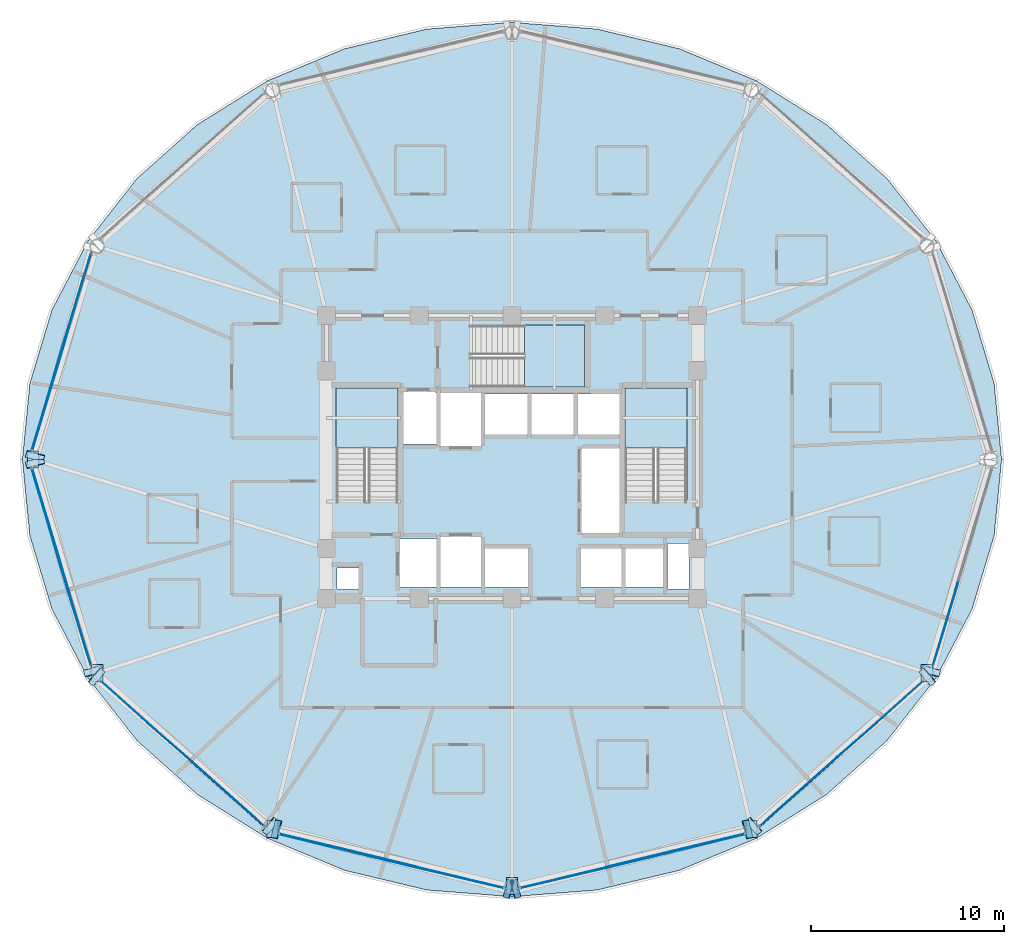
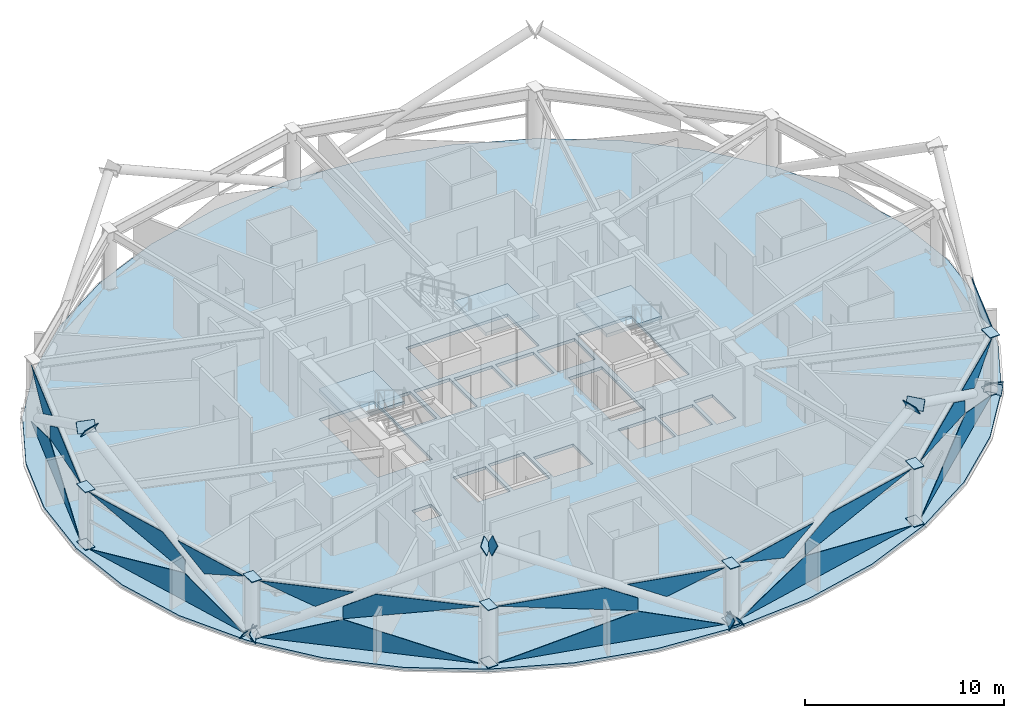
# One storey, part 20 of 29: 43 plates, 4 slabs, 10 elements without a shape of their own.
"""IFC4 building model written with IfcOpenShell, lengths in metres."""

import ifcopenshell
import ifcopenshell.guid

model = None  # the IFC model being written
_history = None  # IfcOwnerHistory: only IFC2X3 demands one
_inside = {}  # id of a spatial element -> (the spatial element, [elements in it])
_under = {}  # id of a project, library or spatial element -> (it, [spatial elements below it])
_declared = {}  # id of a project -> (the project, [libraries it declares])
_typed = {}  # id of a type object -> (the type object, [elements of that type])
_made_of = {}  # id of a material, layer set ... -> (it, [elements and type objects made of it])


def new_model(schema):
    """Start an empty IFC model of exactly this schema.

    Asked for "IFC4X3", IfcOpenShell would pick the latest addendum, in which some entities
    have other attributes; the version numbers below select the first issue.
    IFC2X3 requires an IfcOwnerHistory on every rooted entity: one is made here for all.
    """
    global model, _history
    if schema == "IFC4X3":
        model = ifcopenshell.file(schema_version=(4, 3, 0, 0))
    else:
        model = ifcopenshell.file(schema=schema)
    _inside.clear()
    _under.clear()
    _declared.clear()
    _typed.clear()
    _made_of.clear()
    _history = None
    if model.schema == "IFC2X3":
        org = make("IfcOrganization", Name="unknown")
        user = make(
            "IfcPersonAndOrganization",
            ThePerson=make("IfcPerson", FamilyName="unknown"),
            TheOrganization=org,
        )
        app = make(
            "IfcApplication",
            ApplicationDeveloper=org,
            Version="unknown",
            ApplicationFullName="unknown",
            ApplicationIdentifier="unknown",
        )
        _history = make(
            "IfcOwnerHistory",
            OwningUser=user,
            OwningApplication=app,
            ChangeAction="ADDED",
            CreationDate=0,
        )
    return model


def make(cls, **values):
    """One entity of the class cls with the attributes given. An attribute that is None is left unset."""
    return model.create_entity(
        cls, **{name: value for name, value in values.items() if value is not None}
    )


def rooted(cls, **values):
    """An entity with a GlobalId (a new one), such as an element, a storey or a relation."""
    return make(cls, GlobalId=ifcopenshell.guid.new(), OwnerHistory=_history, **values)


def si_unit(unit_type, name, prefix=None):
    """IfcSIUnit, for example si_unit("LENGTHUNIT", "METRE", prefix="MILLI")."""
    return make("IfcSIUnit", UnitType=unit_type, Prefix=prefix, Name=name)


def assignment(units):
    """IfcUnitAssignment: the units of a project."""
    return None if units is None else make("IfcUnitAssignment", Units=units)


def point(xyz):
    """IfcCartesianPoint."""
    return None if xyz is None else make("IfcCartesianPoint", Coordinates=xyz)


def direction(xyz):
    """IfcDirection."""
    return None if xyz is None else make("IfcDirection", DirectionRatios=xyz)


def frame(location, z_axis=None, x_axis=None):
    """IfcAxis2Placement3D, a coordinate frame: its origin and axes. An axis left out is left unset."""
    return make(
        "IfcAxis2Placement3D",
        Location=point(location),
        Axis=direction(z_axis),
        RefDirection=direction(x_axis),
    )


def origin():
    """The frame at (0, 0, 0) with its axes left unset."""
    return frame((0.0, 0.0, 0.0))


def place(relative_to, where):
    """IfcLocalPlacement: puts the frame where relative to a parent placement (None: the world)."""
    return make(
        "IfcLocalPlacement", PlacementRelTo=relative_to, RelativePlacement=where
    )


def context(
    kind, dimensions, precision=None, world=None, true_north=None, identifier=None
):
    """IfcGeometricRepresentationContext, for example the 3D "Model" context."""
    return make(
        "IfcGeometricRepresentationContext",
        ContextIdentifier=identifier,
        ContextType=kind,
        CoordinateSpaceDimension=dimensions,
        Precision=precision,
        WorldCoordinateSystem=world,
        TrueNorth=true_north,
    )


def subcontext(parent, identifier, kind, view, scale=None):
    """IfcGeometricRepresentationSubContext, for example "Body" below "Model"."""
    return make(
        "IfcGeometricRepresentationSubContext",
        ContextIdentifier=identifier,
        ContextType=kind,
        ParentContext=parent,
        TargetScale=scale,
        TargetView=view,
    )


def project(units=None, contexts=None):
    """IfcProject with its units and contexts."""
    return rooted(
        "IfcProject",
        Name="project",
        RepresentationContexts=contexts,
        UnitsInContext=assignment(units),
    )


def spatial(cls, under=None, at=None, **own):
    """A site, building, storey or space (cls), placed at a placement, below another one or the project."""
    s = rooted(cls, ObjectPlacement=at, **own)
    if under is not None:
        _under.setdefault(under.id(), (under, []))[1].append(s)
    return s


def polyline(points):
    """IfcPolyline through the points."""
    return make("IfcPolyline", Points=[point(p) for p in points])


def outline(outer, holes=None, kind="AREA"):
    """IfcArbitraryClosedProfileDef: a profile drawn as a closed curve; with holes, ...WithVoids."""
    if holes is None:
        return make("IfcArbitraryClosedProfileDef", ProfileType=kind, OuterCurve=outer)
    return make(
        "IfcArbitraryProfileDefWithVoids",
        ProfileType=kind,
        OuterCurve=outer,
        InnerCurves=holes,
    )


def extrude(swept, where, along, depth):
    """IfcExtrudedAreaSolid: the profile swept, set in the frame where, extruded along a direction by depth."""
    return make(
        "IfcExtrudedAreaSolid",
        SweptArea=swept,
        Position=where,
        ExtrudedDirection=direction(along),
        Depth=depth,
    )


def shape(context_of_items, identifier, shape_type, items):
    """IfcShapeRepresentation: the items that make up one representation, for example the "Body"."""
    return make(
        "IfcShapeRepresentation",
        ContextOfItems=context_of_items,
        RepresentationIdentifier=identifier,
        RepresentationType=shape_type,
        Items=items,
    )


def material(Name=None, Category=None):
    """IfcMaterial."""
    return make("IfcMaterial", Name=Name, Category=Category)


def layer(
    of_material, thickness, ventilated=None, Name=None, Category=None, Priority=None
):
    """IfcMaterialLayer: one layer of a wall or slab, of a material (None: an air gap)."""
    return make(
        "IfcMaterialLayer",
        Material=of_material,
        LayerThickness=thickness,
        IsVentilated=ventilated,
        Name=Name,
        Category=Category,
        Priority=Priority,
    )


def layer_set(layers, Name=None):
    """IfcMaterialLayerSet."""
    return make("IfcMaterialLayerSet", MaterialLayers=layers, LayerSetName=Name)


def made_of(thing, what):
    """Note that an element or type object is made of a material, layer set ...; save() writes the relation."""
    if what is not None:
        _made_of.setdefault(what.id(), (what, []))[1].append(thing)
    return thing


def type_object(cls, material=None, **own):
    """A type object (cls), such as IfcWallType, which elements share."""
    return made_of(rooted(cls, **own), material)


def element(
    cls,
    number,
    at=None,
    inside=None,
    cuts=None,
    type_object=None,
    material=None,
    context=None,
    identifier="Body",
    shape_type=None,
    held_by="IfcProductDefinitionShape",
    body=None,
    shapes=None,
    **own,
):
    """One element of the class cls, such as IfcWall. Its Tag is "e" and its number.

    at: its placement. inside: the storey or other place that contains it. cuts: it is an
    opening in that element (IfcRelVoidsElement). A single representation is given by context,
    identifier, shape_type and body (its items); several are given by shapes. held_by: the class
    of the entity that holds the representations. save() writes the other relations.
    """
    e = rooted(cls, Tag="e%d" % number, ObjectPlacement=at, **own)
    if body is not None:
        shapes = [shape(context, identifier, shape_type, body)]
    if shapes is not None:
        e.Representation = make(held_by, Representations=shapes)
    if inside is not None:
        _inside.setdefault(inside.id(), (inside, []))[1].append(e)
    if cuts is not None:
        rooted(
            "IfcRelVoidsElement", RelatingBuildingElement=cuts, RelatedOpeningElement=e
        )
    if type_object is not None:
        _typed.setdefault(type_object.id(), (type_object, []))[1].append(e)
    return made_of(e, material)


def aggregate(whole, parts):
    """IfcRelAggregates: a whole, such as a stair, and the parts it consists of."""
    return rooted("IfcRelAggregates", RelatingObject=whole, RelatedObjects=parts)


def save(model, path):
    """Write the relations noted so far, then the file.

    IfcRelAggregates (storeys below a building ...), IfcRelContainedInSpatialStructure (elements
    in a storey), IfcRelDefinesByType, IfcRelAssociatesMaterial and IfcRelDeclares: one each for
    every whole, place, type object, material and project.
    """
    for whole, parts in _under.values():
        aggregate(whole, parts)
    for where, things in _inside.values():
        rooted(
            "IfcRelContainedInSpatialStructure",
            RelatedElements=things,
            RelatingStructure=where,
        )
    for kind, things in _typed.values():
        rooted("IfcRelDefinesByType", RelatedObjects=things, RelatingType=kind)
    for what, things in _made_of.values():
        rooted("IfcRelAssociatesMaterial", RelatedObjects=things, RelatingMaterial=what)
    for by, libraries in _declared.values():
        rooted("IfcRelDeclares", RelatingContext=by, RelatedDefinitions=libraries)
    model.write(path)


model = new_model("IFC4")

# Units and contexts
model_context = context("Model", 3, precision=1e-05, world=origin(), true_north=direction((0.0, 1.0)))
body_context = subcontext(model_context, "Body", "Model", "MODEL_VIEW")
ifc_project = project(units=[si_unit("LENGTHUNIT", "METRE"), si_unit("AREAUNIT", "SQUARE_METRE"), si_unit("VOLUMEUNIT", "CUBIC_METRE"), si_unit("PLANEANGLEUNIT", "RADIAN"), si_unit("MASSUNIT", "GRAM", prefix="KILO")], contexts=[model_context])

# Site, building, storey
site_placement = place(None, origin())
site = spatial("IfcSite", under=ifc_project, at=site_placement, CompositionType="ELEMENT")
building_placement = place(site_placement, origin())
building = spatial("IfcBuilding", under=site, at=building_placement, Name="Vantalir Tower", CompositionType="ELEMENT")
storey_placement = place(building_placement, frame((0.0, 0.0, 157.199951171875)))
storey = spatial("IfcBuildingStorey", under=building, at=storey_placement, Name="L39", CompositionType="ELEMENT", Elevation=157.199951171875)

# Curtain wall, plates
ifc_material_1 = material(Name="Champagne-silver PVDF aluminium and double-silver Low-E glass", Category="aluminium")
ifc_layer_1 = layer(ifc_material_1, 0.199951171875)
ifc_layer_set_1 = layer_set([ifc_layer_1], Name="Champagne-silver PVDF aluminium and double-silver Low-E glass")
curtain_wall_type = type_object("IfcCurtainWallType", Name="CW-DIAMOND-Z2", PredefinedType="USERDEFINED", material=ifc_layer_set_1)
curtain_wall_1_placement = place(storey_placement, origin())
curtain_wall_1 = element("IfcCurtainWall", 1, at=curtain_wall_1_placement, inside=storey, type_object=curtain_wall_type, Name="L39 Quilted Pyramid-Diamond Curtain Wall S06", ObjectType="UNITISED CURTAIN WALL", PredefinedType="USERDEFINED")
ifc_material_2 = material(Name="Double-silver Low-E laminated glass IGU", Category="glass")
ifc_layer_2 = layer(ifc_material_2, 0.028076171875)
ifc_layer_set_2 = layer_set([ifc_layer_2], Name="Double-silver Low-E laminated glass IGU")
plate_type_1 = type_object("IfcPlateType", Name="CWP-IGU-28", PredefinedType="CURTAIN_PANEL", material=ifc_layer_set_2)
plate_1_placement = place(storey_placement, frame((9.741943359375, 35.693359375, 0.046875), z_axis=(0.957564071006, -0.287889450564, 0.013809930182), x_axis=(-0.28791660525, -0.957655484974, -2.2792638e-05)))
plate_1 = element("IfcPlate", 2, at=plate_1_placement, type_object=plate_type_1, Name="CW-L39-S06 Pyramid Diamond Facet 1L", PredefinedType="CURTAIN_PANEL", context=body_context, shape_type="SweptSolid", body=[
    extrude(outline(polyline([(0.0, 0.0), (10.711380721923996, 5.44811591673966e-18), (4.075647975215292, -1.7263317397813793), (0.0, 0.0)])), origin(), (0.0, 0.0, -1.0), 0.028076171875),
])
plate_2_placement = place(storey_placement, frame((8.118896484375, 30.29443359375, 3.5234375), z_axis=(-0.957557941094, 0.287905765123, 0.013894598119), x_axis=(-0.287933561793, -0.957650387142, -8.4363e-08)))
plate_2 = element("IfcPlate", 3, at=plate_2_placement, type_object=plate_type_1, Name="CW-L39-S06 Pyramid Diamond Facet 2U", PredefinedType="CURTAIN_PANEL", context=body_context, shape_type="SweptSolid", body=[
    extrude(outline(polyline([(0.0, 0.0), (5.073767685221937, 0.0), (-1.561925147055898, -1.726485156677116), (-1.561767940723868, -0.9685999225643026), (0.0, 0.0)])), origin(), (0.0, 0.0, -1.0), 0.028076171875),
])
plate_3_placement = place(storey_placement, frame((9.71142578125, 35.70263671875, 3.523681640625), z_axis=(-0.957560656279, 0.28790112846, 0.013803252424), x_axis=(-0.287927850537, -0.957652102809, 5.357794e-05)))
plate_3 = element("IfcPlate", 4, at=plate_3_placement, type_object=plate_type_1, Name="CW-L39-S06 Pyramid Diamond Facet 2U Infill Light", PredefinedType="CURTAIN_PANEL", context=body_context, shape_type="SweptSolid", body=[
    extrude(outline(polyline([(0.0, 0.0), (4.556737794915111, -5.421010862427522e-19), (2.707281126310866, -1.1467386763287737), (0.0, 0.0)])), origin(), (0.0, 0.0, -1.0), 0.028076171875),
])
aggregate(curtain_wall_1, [plate_1, plate_2, plate_3])

curtain_wall_2_placement = place(storey_placement, origin())
curtain_wall_2 = element("IfcCurtainWall", 5, at=curtain_wall_2_placement, inside=storey, type_object=curtain_wall_type, Name="L39 Quilted Pyramid-Diamond Curtain Wall S07", ObjectType="UNITISED CURTAIN WALL", PredefinedType="USERDEFINED")
plate_4_placement = place(storey_placement, frame((6.657958984375, 24.564208984375, 0.046630859375), z_axis=(0.957570200047, 0.287870738047, 0.013774983065), x_axis=(0.287897752934, -0.957661152671, 2.2791146e-05)))
plate_4 = element("IfcPlate", 6, at=plate_4_placement, type_object=plate_type_1, Name="CW-L39-S07 Pyramid Diamond Facet 1L", PredefinedType="CURTAIN_PANEL", context=body_context, shape_type="SweptSolid", body=[
    extrude(outline(polyline([(0.0, 0.0), (10.712082131825547, 9.595189226496714e-18), (6.635967016159975, -1.7263309120844164), (0.0, 0.0)])), origin(), (0.0, 0.0, -1.0), 0.028076171875),
])
plate_5_placement = place(storey_placement, frame((6.657958984375, 24.564208984375, 3.5234375), z_axis=(-0.957565262051, -0.287882479701, 0.013872519374), x_axis=(0.287910187794, -0.957657414614, 2.30641e-07)))
plate_5 = element("IfcPlate", 7, at=plate_5_placement, type_object=plate_type_1, Name="CW-L39-S07 Pyramid Diamond Facet 2U", PredefinedType="CURTAIN_PANEL", context=body_context, shape_type="SweptSolid", body=[
    extrude(outline(polyline([(0.0, 0.0), (5.0740014860384335, 0.0), (6.636003416942271, -0.9686005964332071), (6.635926965615698, -1.7264848558499808), (0.0, 0.0)])), origin(), (0.0, 0.0, -1.0), 0.028076171875),
])
plate_6_placement = place(storey_placement, frame((8.3994140625, 18.66064453125, 3.52392578125), z_axis=(-0.957569384816, -0.287871542224, 0.013814790656), x_axis=(0.287898306836, -0.957660984927, -5.3572443e-05)))
plate_6 = element("IfcPlate", 8, at=plate_6_placement, type_object=plate_type_1, Name="CW-L39-S07 Pyramid Diamond Facet 2U Infill Light", PredefinedType="CURTAIN_PANEL", context=body_context, shape_type="SweptSolid", body=[
    extrude(outline(polyline([(0.0, 0.0), (4.557205400649532, 2.6291902682773483e-18), (1.8496909536880266, -1.1467388566910972), (0.0, 0.0)])), origin(), (0.0, 0.0, -1.0), 0.028076171875),
])
aggregate(curtain_wall_2, [plate_4, plate_5, plate_6])

curtain_wall_3_placement = place(storey_placement, origin())
curtain_wall_3 = element("IfcCurtainWall", 9, at=curtain_wall_3_placement, inside=storey, type_object=curtain_wall_type, Name="L39 Quilted Pyramid-Diamond Curtain Wall S08", ObjectType="UNITISED CURTAIN WALL", PredefinedType="USERDEFINED")
plate_7_placement = place(storey_placement, frame((10.212646484375, 13.5673828125, 0.046630859375), z_axis=(0.665343330958, 0.746413503219, 0.013606401538), x_axis=(0.746482801, -0.665404709442, -2.1540407e-05)))
plate_7 = element("IfcPlate", 10, at=plate_7_placement, type_object=plate_type_1, Name="CW-L39-S08 Pyramid Diamond Facet 1L", PredefinedType="CURTAIN_PANEL", context=body_context, shape_type="SweptSolid", body=[
    extrude(outline(polyline([(0.0, 0.0), (11.334076750380676, -1.5449880957918438e-18), (4.308592243507373, -1.7268151628694164), (0.0, 0.0)])), origin(), (0.0, 0.0, -1.0), 0.028076171875),
])
plate_8_placement = place(storey_placement, frame((14.674560546875, 9.590087890625, 3.5234375), z_axis=(-0.665326628738, -0.746428809423, 0.013583429451), x_axis=(0.746498089036, -0.665387557004, 4.5272688e-05)))
plate_8 = element("IfcPlate", 11, at=plate_8_placement, type_object=plate_type_1, Name="CW-L39-S08 Pyramid Diamond Facet 2U", PredefinedType="CURTAIN_PANEL", context=body_context, shape_type="SweptSolid", body=[
    extrude(outline(polyline([(0.0, 0.0), (5.356823871546457, -4.824699667560495e-18), (-1.6687021488176343, -1.726646253853571), (-1.668783433215553, -0.9790203032212206), (0.0, 0.0)])), origin(), (0.0, 0.0, -1.0), 0.028076171875),
])
plate_9_placement = place(storey_placement, frame((10.191162109375, 13.54345703125, 3.52392578125), z_axis=(-0.66531706297, -0.746437334168, 0.013583515046), x_axis=(0.746506206977, -0.665378450917, 0.0)))
plate_9 = element("IfcPlate", 12, at=plate_9_placement, type_object=plate_type_1, Name="CW-L39-S08 Pyramid Diamond Facet 2U Infill Light", PredefinedType="CURTAIN_PANEL", context=body_context, shape_type="SweptSolid", body=[
    extrude(outline(polyline([(0.0, 0.0), (4.851048600504041, 6.938893903907228e-18), (2.8821643878871916, -1.1551358699373135), (0.0, 0.0)])), origin(), (0.0, 0.0, -1.0), 0.028076171875),
])
aggregate(curtain_wall_3, [plate_7, plate_8, plate_9])

curtain_wall_4_placement = place(storey_placement, origin())
curtain_wall_4 = element("IfcCurtainWall", 13, at=curtain_wall_4_placement, inside=storey, type_object=curtain_wall_type, Name="L39 Quilted Pyramid-Diamond Curtain Wall S09", ObjectType="UNITISED CURTAIN WALL", PredefinedType="USERDEFINED")
plate_10_placement = place(storey_placement, frame((19.45556640625, 5.617431640625, 0.04638671875), z_axis=(0.232261179641, 0.972555255955, 0.013820945895), x_axis=(0.972648091392, -0.232283641034, 2.0467322e-05)))
plate_10 = element("IfcPlate", 14, at=plate_10_placement, type_object=plate_type_1, Name="CW-L39-S09 Pyramid Diamond Facet 1L", PredefinedType="CURTAIN_PANEL", context=body_context, shape_type="SweptSolid", body=[
    extrude(outline(polyline([(0.0, 0.0), (11.928312905690158, 1.7889335846010823e-18), (7.389833878033435, -1.7270644900511896), (0.0, 0.0)])), origin(), (0.0, 0.0, -1.0), 0.028076171875),
])
plate_11_placement = place(storey_placement, frame((19.45556640625, 5.617431640625, 3.523681640625), z_axis=(-0.232271104003, -0.9725544686, 0.013709115614), x_axis=(0.972645871427, -0.232292937466, -2.91501e-07)))
plate_11 = element("IfcPlate", 15, at=plate_11_placement, type_object=plate_type_1, Name="CW-L39-S09 Pyramid Diamond Facet 2U", PredefinedType="CURTAIN_PANEL", context=body_context, shape_type="SweptSolid", body=[
    extrude(outline(polyline([(0.0, 0.0), (5.666504898992574, 0.0), (7.389791754880333, -0.9671297468714191), (7.389799262717985, -1.7272125925726811), (0.0, 0.0)])), origin(), (0.0, 0.0, -1.0), 0.028076171875),
])
plate_12_placement = place(storey_placement, frame((26.090576171875, 4.0, 3.52392578125), z_axis=(-0.232293337627, -0.972548817098, 0.013733304602), x_axis=(0.972640543204, -0.232315246413, 0.0)))
plate_12 = element("IfcPlate", 16, at=plate_12_placement, type_object=plate_type_1, Name="CW-L39-S09 Pyramid Diamond Facet 2U Infill Light", PredefinedType="CURTAIN_PANEL", context=body_context, shape_type="SweptSolid", body=[
    extrude(outline(polyline([(0.0, 0.0), (5.098977922422079, 0.0), (2.060552409607671, -1.1561148882629801), (0.0, 0.0)])), origin(), (0.0, 0.0, -1.0), 0.028076171875),
])
aggregate(curtain_wall_4, [plate_10, plate_11, plate_12])

curtain_wall_5_placement = place(storey_placement, origin())
curtain_wall_5 = element("IfcCurtainWall", 17, at=curtain_wall_5_placement, inside=storey, type_object=curtain_wall_type, Name="L39 Quilted Pyramid-Diamond Curtain Wall S10", ObjectType="UNITISED CURTAIN WALL", PredefinedType="USERDEFINED")
plate_13_placement = place(storey_placement, frame((31.9423828125, 2.8466796875, 0.046630859375), z_axis=(-0.232261179641, 0.972555255955, 0.013820945895), x_axis=(0.972648091392, 0.232283641034, -2.0467322e-05)))
plate_13 = element("IfcPlate", 18, at=plate_13_placement, type_object=plate_type_1, Name="CW-L39-S10 Pyramid Diamond Facet 1L", PredefinedType="CURTAIN_PANEL", context=body_context, shape_type="SweptSolid", body=[
    extrude(outline(polyline([(0.0, 0.0), (11.928312905690158, -1.7889335846010823e-18), (4.538479027656725, -1.7270644900511893), (0.0, 0.0)])), origin(), (0.0, 0.0, -1.0), 0.028076171875),
])
plate_14_placement = place(storey_placement, frame((38.032958984375, 4.301025390625, 3.523681640625), z_axis=(0.232271104003, -0.9725544686, 0.013709115614), x_axis=(0.972645871427, 0.232292937466, 2.91501e-07)))
plate_14 = element("IfcPlate", 19, at=plate_14_placement, type_object=plate_type_1, Name="CW-L39-S10 Pyramid Diamond Facet 2U", PredefinedType="CURTAIN_PANEL", context=body_context, shape_type="SweptSolid", body=[
    extrude(outline(polyline([(0.0, 0.0), (5.666504898992574, 0.0), (-1.7232943637254106, -1.7272125925726811), (-1.7232868558877585, -0.9671297468714191), (0.0, 0.0)])), origin(), (0.0, 0.0, -1.0), 0.028076171875),
])
plate_15_placement = place(storey_placement, frame((31.949951171875, 2.8154296875, 3.52392578125), z_axis=(0.232293337627, -0.972548817098, 0.013733304602), x_axis=(0.972640543204, 0.232315246413, 0.0)))
plate_15 = element("IfcPlate", 20, at=plate_15_placement, type_object=plate_type_1, Name="CW-L39-S10 Pyramid Diamond Facet 2U Infill Light", PredefinedType="CURTAIN_PANEL", context=body_context, shape_type="SweptSolid", body=[
    extrude(outline(polyline([(0.0, 0.0), (5.098977922422079, 0.0), (3.038425512814408, -1.1561148882629801), (0.0, 0.0)])), origin(), (0.0, 0.0, -1.0), 0.028076171875),
])
aggregate(curtain_wall_5, [plate_13, plate_14, plate_15])

curtain_wall_6_placement = place(storey_placement, origin())
curtain_wall_6 = element("IfcCurtainWall", 21, at=curtain_wall_6_placement, inside=storey, type_object=curtain_wall_type, Name="L39 Quilted Pyramid-Diamond Curtain Wall S11", ObjectType="UNITISED CURTAIN WALL", PredefinedType="USERDEFINED")
plate_16_placement = place(storey_placement, frame((44.32666015625, 6.025634765625, 0.04638671875), z_axis=(-0.665343330958, 0.746413503219, 0.013606401538), x_axis=(0.746482801, 0.665404709442, 2.1540407e-05)))
plate_16 = element("IfcPlate", 22, at=plate_16_placement, type_object=plate_type_1, Name="CW-L39-S11 Pyramid Diamond Facet 1L", PredefinedType="CURTAIN_PANEL", context=body_context, shape_type="SweptSolid", body=[
    extrude(outline(polyline([(0.0, 0.0), (11.334076750380676, 1.5449880957918438e-18), (7.025484506873303, -1.7268151628694162), (0.0, 0.0)])), origin(), (0.0, 0.0, -1.0), 0.028076171875),
])
plate_17_placement = place(storey_placement, frame((44.32666015625, 6.025634765625, 3.523681640625), z_axis=(0.665326628738, -0.746428809423, 0.013583429451), x_axis=(0.746498089036, 0.665387557004, -4.5272688e-05)))
plate_17 = element("IfcPlate", 23, at=plate_17_placement, type_object=plate_type_1, Name="CW-L39-S11 Pyramid Diamond Facet 2U", PredefinedType="CURTAIN_PANEL", context=body_context, shape_type="SweptSolid", body=[
    extrude(outline(polyline([(0.0, 0.0), (5.356823871546457, 4.824699667560495e-18), (7.0256073047620085, -0.9790203032212206), (7.025526020364091, -1.726646253853571), (0.0, 0.0)])), origin(), (0.0, 0.0, -1.0), 0.028076171875),
])
plate_18_placement = place(storey_placement, frame((49.1875, 10.315673828125, 3.52392578125), z_axis=(0.66531706297, -0.746437334168, 0.013583515046), x_axis=(0.746506206977, 0.665378450917, 0.0)))
plate_18 = element("IfcPlate", 24, at=plate_18_placement, type_object=plate_type_1, Name="CW-L39-S11 Pyramid Diamond Facet 2U Infill Light", PredefinedType="CURTAIN_PANEL", context=body_context, shape_type="SweptSolid", body=[
    extrude(outline(polyline([(0.0, 0.0), (4.851048600504041, -6.938893903907228e-18), (1.968884212616849, -1.1551358699373135), (0.0, 0.0)])), origin(), (0.0, 0.0, -1.0), 0.028076171875),
])
aggregate(curtain_wall_6, [plate_16, plate_17, plate_18])

# Curtain wall, plate
curtain_wall_7_placement = place(storey_placement, origin())
curtain_wall_7 = element("IfcCurtainWall", 25, at=curtain_wall_7_placement, inside=storey, type_object=curtain_wall_type, Name="L39 Quilted Pyramid-Diamond Curtain Wall S12", ObjectType="UNITISED CURTAIN WALL", PredefinedType="USERDEFINED")
plate_19_placement = place(storey_placement, frame((53.28857421875, 14.29638671875, 3.523681640625), z_axis=(0.957569384816, -0.287871542224, 0.013814790656), x_axis=(0.287898306836, 0.957660984927, 5.3572443e-05)))
plate_19 = element("IfcPlate", 26, at=plate_19_placement, type_object=plate_type_1, Name="CW-L39-S12 Pyramid Diamond Facet 2U Infill Light", PredefinedType="CURTAIN_PANEL", context=body_context, shape_type="SweptSolid", body=[
    extrude(outline(polyline([(0.0, 0.0), (4.557205400649532, -2.6291902682773483e-18), (2.707514446961506, -1.1467388566910972), (0.0, 0.0)])), origin(), (0.0, 0.0, -1.0), 0.028076171875),
])
aggregate(curtain_wall_7, [plate_19])

# Plates
ifc_material_3 = material(Name="Steel S460", Category="steel")
ifc_layer_3 = layer(ifc_material_3, 0.0400390625)
ifc_layer_set_3 = layer_set([ifc_layer_3], Name="Steel S460")
plate_type_2 = type_object("IfcPlateType", Name="PLT-KN-Z1", PredefinedType="USERDEFINED", material=ifc_layer_set_3)
plate_20_placement = place(storey_placement, frame((6.3154296875, 25.1240234375, 6.87744140625), z_axis=(-0.228025226252, -0.81883771381, 0.526791509646), x_axis=(0.963344683352, -0.268266697631, 0.0)))
element("IfcPlate", 27, at=plate_20_placement, inside=storey, type_object=plate_type_2, Name="Node Cap Plate MEM-DG-L39-R16L End", ObjectType="FLANGE_PLATE", PredefinedType="USERDEFINED", context=body_context, shape_type="SweptSolid", body=[
    extrude(outline(polyline([(0.0, 0.0), (0.9501097778839402, 5.551115123125783e-17), (0.9501207564182933, 0.620121176301776), (1.0978534353062795e-05, 0.6201211763017759), (0.0, 0.0)])), origin(), (0.0, 0.0, -1.0), 0.0400390625),
])
for number, where, z_axis, x_axis, name in (
    (28, (9.831787109375, 13.279296875, -0.072021484375), (0.654413072977, -0.56197057588, 0.50589781751), (0.651489527537, 0.758657627333, 0.0), "Node Cap Plate MEM-DG-L39-R22L Start"),
    (29, (18.823486328125, 5.55810546875, 6.87744140625), (0.654413072977, -0.56197057588, 0.50589781751), (0.651489527537, 0.758657627333, 0.0), "Node Cap Plate MEM-DG-L39-R22L End"),
):
    element("IfcPlate", number, at=place(storey_placement, frame(where, z_axis=z_axis, x_axis=x_axis)), inside=storey, type_object=plate_type_2, Name=name, ObjectType="FLANGE_PLATE", PredefinedType="USERDEFINED", context=body_context, shape_type="SweptSolid", body=[
        extrude(outline(polyline([(0.0, 0.0), (0.9499715010233203, -2.7755575615628914e-17), (0.9499212433888401, 0.620120789891323), (-5.0257634480229095e-05, 0.620120789891323), (0.0, 0.0)])), origin(), (0.0, 0.0, -1.0), 0.0400390625),
    ])
plate_21_placement = place(storey_placement, frame((10.23486328125, 14.34130859375, -0.063232421875), z_axis=(-0.227917343878, 0.818842474556, 0.526830794679), x_axis=(-0.963387091163, -0.26811435901, -5.5429085e-05)))
element("IfcPlate", 30, at=plate_21_placement, inside=storey, type_object=plate_type_2, Name="Node Cap Plate MEM-DG-L39-R22R Start", ObjectType="FLANGE_PLATE", PredefinedType="USERDEFINED", context=body_context, shape_type="SweptSolid", body=[
    extrude(outline(polyline([(0.0, 0.0), (0.9500443069382347, -2.7755575615628914e-17), (0.9499524678439517, 0.6199136566823147), (-0.00015729670146306815, 0.6197897419801488), (0.0, 0.0)])), origin(), (0.0, 0.0, -1.0), 0.0400390625),
])
plate_22_placement = place(storey_placement, frame((7.230712890625, 25.130859375, 6.87744140625), z_axis=(-0.228025226252, 0.81883771381, 0.526791509646), x_axis=(-0.963344683352, -0.268266697631, 0.0)))
element("IfcPlate", 31, at=plate_22_placement, inside=storey, type_object=plate_type_2, Name="Node Cap Plate MEM-DG-L39-R22R End", ObjectType="FLANGE_PLATE", PredefinedType="USERDEFINED", context=body_context, shape_type="SweptSolid", body=[
    extrude(outline(polyline([(0.0, 0.0), (0.9501097778839402, -5.551115123125783e-17), (0.9500987993495872, 0.6201211763017759), (-1.0978534353062795e-05, 0.6201211763017759), (0.0, 0.0)])), origin(), (0.0, 0.0, -1.0), 0.0400390625),
])
plate_23_placement = place(storey_placement, frame((31.95751953125, 2.3681640625, -0.078857421875), z_axis=(0.84475888076, 0.216849089184, 0.489243197089), x_axis=(-0.248609261624, 0.968603857216, -5.3107784e-05)))
element("IfcPlate", 32, at=plate_23_placement, inside=storey, type_object=plate_type_2, Name="Node Cap Plate MEM-DG-L39-R28L Start", ObjectType="FLANGE_PLATE", PredefinedType="USERDEFINED", context=body_context, shape_type="SweptSolid", body=[
    extrude(outline(polyline([(0.0, 0.0), (0.9499690170504682, 1.3877787807814457e-17), (0.9499468796907249, 0.6201038179352466), (-8.283298025679297e-05, 0.6199881210689888), (0.0, 0.0)])), origin(), (0.0, 0.0, -1.0), 0.0400390625),
])
plate_24_placement = place(storey_placement, frame((43.96923828125, 5.451904296875, 6.877685546875), z_axis=(0.84475888076, 0.216849089184, 0.489243197089), x_axis=(-0.248666971757, 0.968589043061, 5.310439e-05)))
element("IfcPlate", 33, at=plate_24_placement, inside=storey, type_object=plate_type_2, Name="Node Cap Plate MEM-DG-L39-R28L End", ObjectType="FLANGE_PLATE", PredefinedType="USERDEFINED", context=body_context, shape_type="SweptSolid", body=[
    extrude(outline(polyline([(0.0, 0.0), (0.9500297197159008, 0.0), (0.9500223903560251, 0.6199881265590803), (5.338035002591659e-05, 0.6201038160328239), (0.0, 0.0)])), origin(), (0.0, 0.0, -1.0), 0.0400390625),
])
plate_25_placement = place(storey_placement, frame((31.278564453125, 3.288330078125, -0.078857421875), z_axis=(-0.84475888076, 0.216849089184, 0.489243197089), x_axis=(-0.248609261624, -0.968603857216, 5.3107784e-05)))
element("IfcPlate", 34, at=plate_25_placement, inside=storey, type_object=plate_type_2, Name="Node Cap Plate MEM-DG-L39-R28R Start", ObjectType="FLANGE_PLATE", PredefinedType="USERDEFINED", context=body_context, shape_type="SweptSolid", body=[
    extrude(outline(polyline([(0.0, 0.0), (0.9499690170504682, -1.3877787807814457e-17), (0.950051850030725, 0.6199881210689888), (2.213735974318076e-05, 0.6201038179352466), (0.0, 0.0)])), origin(), (0.0, 0.0, -1.0), 0.0400390625),
])
plate_26_placement = place(storey_placement, frame((19.26708984375, 6.3720703125, 6.877685546875), z_axis=(-0.84475888076, 0.216849089184, 0.489243197089), x_axis=(-0.248666971757, -0.968589043061, -5.310439e-05)))
element("IfcPlate", 35, at=plate_26_placement, inside=storey, type_object=plate_type_2, Name="Node Cap Plate MEM-DG-L39-R28R End", ObjectType="FLANGE_PLATE", PredefinedType="USERDEFINED", context=body_context, shape_type="SweptSolid", body=[
    extrude(outline(polyline([(0.0, 0.0), (0.9500297197159008, 0.0), (0.9499763393658748, 0.6201038160328239), (7.329359875629748e-06, 0.6199881265590803), (0.0, 0.0)])), origin(), (0.0, 0.0, -1.0), 0.0400390625),
])
plate_27_placement = place(storey_placement, frame((53.680419921875, 14.086669921875, -0.063232421875), z_axis=(0.227917343878, 0.818842474556, 0.526830794679), x_axis=(-0.963387091163, 0.26811435901, 5.5429085e-05)))
element("IfcPlate", 36, at=plate_27_placement, inside=storey, type_object=plate_type_2, Name="Node Cap Plate MEM-DG-L39-R34L Start", ObjectType="FLANGE_PLATE", PredefinedType="USERDEFINED", context=body_context, shape_type="SweptSolid", body=[
    extrude(outline(polyline([(0.0, 0.0), (0.9500443069382347, 2.7755575615628914e-17), (0.9502016036396977, 0.6197897419801489), (9.183909428297929e-05, 0.6199136566823147), (0.0, 0.0)])), origin(), (0.0, 0.0, -1.0), 0.0400390625),
])
for number, where, z_axis, x_axis, name in (
    (37, (52.54931640625, 14.0, -0.072021484375), (-0.654413072977, -0.56197057588, 0.50589781751), (0.651489527537, -0.758657627333, 0.0), "Node Cap Plate MEM-DG-L39-R34R Start"),
    (38, (43.5576171875, 6.27880859375, 6.87744140625), (-0.654413072977, -0.56197057588, 0.50589781751), (0.651489527537, -0.758657627333, 0.0), "Node Cap Plate MEM-DG-L39-R34R End"),
):
    element("IfcPlate", number, at=place(storey_placement, frame(where, z_axis=z_axis, x_axis=x_axis)), inside=storey, type_object=plate_type_2, Name=name, ObjectType="FLANGE_PLATE", PredefinedType="USERDEFINED", context=body_context, shape_type="SweptSolid", body=[
        extrude(outline(polyline([(0.0, 0.0), (0.9499715010233203, 2.7755575615628914e-17), (0.9500217586578006, 0.620120789891323), (5.0257634480229095e-05, 0.620120789891323), (0.0, 0.0)])), origin(), (0.0, 0.0, -1.0), 0.0400390625),
    ])
ifc_layer_4 = layer(ifc_material_3, 0.035888671875)
ifc_layer_set_4 = layer_set([ifc_layer_4], Name="Steel S460")
plate_type_3 = type_object("IfcPlateType", Name="PLT-KN-Z2", PredefinedType="USERDEFINED", material=ifc_layer_set_4)
for number, where, z_axis, x_axis, name in (
    (39, (6.427001953125, 25.43994140625, 3.59814453125), (0.0, 0.0, 1.0), (0.0, -1.0, 0.0), "L39 Ring Column Top Cap RC07"),
    (40, (6.427001953125, 25.43994140625, 0.052978515625), (0.0, 0.0, 1.0), (0.0, -1.0, 0.0), "L39 Ring Column Base Cap RC07"),
):
    element("IfcPlate", number, at=place(storey_placement, frame(where, z_axis=z_axis, x_axis=x_axis)), inside=storey, type_object=plate_type_3, Name=name, ObjectType="FLANGE_PLATE", PredefinedType="USERDEFINED", context=body_context, shape_type="SweptSolid", body=[
        extrude(outline(polyline([(0.0, 0.0), (0.8798828125, 0.0), (0.8798828125, 0.580078125), (0.0, 0.580078125), (0.0, 0.0)])), origin(), (0.0, 0.0, -1.0), 0.035888671875),
    ])
for number, where, z_axis, x_axis, name in (
    (41, (9.7470703125, 14.405029296875, 3.59814453125), (0.0, 0.0, 1.0), (0.0, -1.0, 0.0), "L39 Ring Column Top Cap RC08"),
    (42, (9.7470703125, 14.405029296875, 0.052978515625), (0.0, 0.0, 1.0), (0.0, -1.0, 0.0), "L39 Ring Column Base Cap RC08"),
):
    element("IfcPlate", number, at=place(storey_placement, frame(where, z_axis=z_axis, x_axis=x_axis)), inside=storey, type_object=plate_type_3, Name=name, ObjectType="FLANGE_PLATE", PredefinedType="USERDEFINED", context=body_context, shape_type="SweptSolid", body=[
        extrude(outline(polyline([(0.0, 0.0), (0.880126953125, 0.0), (0.880126953125, 0.579833984375), (0.0, 0.579833984375), (0.0, 0.0)])), origin(), (0.0, 0.0, -1.0), 0.035888671875),
    ])
for number, where, z_axis, x_axis, name in (
    (43, (18.818115234375, 6.327880859375, 3.59814453125), (0.0, 0.0, 1.0), (0.0, -1.0, 0.0), "L39 Ring Column Top Cap RC09"),
    (44, (18.818115234375, 6.327880859375, 0.052978515625), (0.0, 0.0, 1.0), (0.0, -1.0, 0.0), "L39 Ring Column Base Cap RC09"),
):
    element("IfcPlate", number, at=place(storey_placement, frame(where, z_axis=z_axis, x_axis=x_axis)), inside=storey, type_object=plate_type_3, Name=name, ObjectType="FLANGE_PLATE", PredefinedType="USERDEFINED", context=body_context, shape_type="SweptSolid", body=[
        extrude(outline(polyline([(0.0, 0.0), (0.8798828125, 0.0), (0.8798828125, 0.579833984375), (0.0, 0.579833984375), (0.0, 0.0)])), origin(), (0.0, 0.0, -1.0), 0.035888671875),
    ])
for number, where, z_axis, x_axis, name in (
    (45, (31.2099609375, 3.37109375, 3.59814453125), (0.0, 0.0, 1.0), (0.0, -1.0, 0.0), "L39 Ring Column Top Cap RC10"),
    (46, (31.2099609375, 3.37109375, 0.052978515625), (0.0, 0.0, 1.0), (0.0, -1.0, 0.0), "L39 Ring Column Base Cap RC10"),
):
    element("IfcPlate", number, at=place(storey_placement, frame(where, z_axis=z_axis, x_axis=x_axis)), inside=storey, type_object=plate_type_3, Name=name, ObjectType="FLANGE_PLATE", PredefinedType="USERDEFINED", context=body_context, shape_type="SweptSolid", body=[
        extrude(outline(polyline([(0.0, 0.0), (0.880126953125, 0.0), (0.880126953125, 0.580078125), (0.0, 0.580078125), (0.0, 0.0)])), origin(), (0.0, 0.0, -1.0), 0.035888671875),
    ])
for number, where, z_axis, x_axis, name in (
    (47, (43.60205078125, 6.327880859375, 3.59814453125), (0.0, 0.0, 1.0), (0.0, -1.0, 0.0), "L39 Ring Column Top Cap RC11"),
    (48, (43.60205078125, 6.327880859375, 0.052978515625), (0.0, 0.0, 1.0), (0.0, -1.0, 0.0), "L39 Ring Column Base Cap RC11"),
):
    element("IfcPlate", number, at=place(storey_placement, frame(where, z_axis=z_axis, x_axis=x_axis)), inside=storey, type_object=plate_type_3, Name=name, ObjectType="FLANGE_PLATE", PredefinedType="USERDEFINED", context=body_context, shape_type="SweptSolid", body=[
        extrude(outline(polyline([(0.0, 0.0), (0.8798828125, 0.0), (0.8798828125, 0.579833984375), (0.0, 0.579833984375), (0.0, 0.0)])), origin(), (0.0, 0.0, -1.0), 0.035888671875),
    ])
for number, where, z_axis, x_axis, name in (
    (49, (52.673095703125, 14.405029296875, 3.59814453125), (0.0, 0.0, 1.0), (0.0, -1.0, 0.0), "L39 Ring Column Top Cap RC12"),
    (50, (52.673095703125, 14.405029296875, 0.052978515625), (0.0, 0.0, 1.0), (0.0, -1.0, 0.0), "L39 Ring Column Base Cap RC12"),
):
    element("IfcPlate", number, at=place(storey_placement, frame(where, z_axis=z_axis, x_axis=x_axis)), inside=storey, type_object=plate_type_3, Name=name, ObjectType="FLANGE_PLATE", PredefinedType="USERDEFINED", context=body_context, shape_type="SweptSolid", body=[
        extrude(outline(polyline([(0.0, 0.0), (0.880126953125, 0.0), (0.880126953125, 0.579833984375), (0.0, 0.579833984375), (0.0, 0.0)])), origin(), (0.0, 0.0, -1.0), 0.035888671875),
    ])

# Stair, slab
ifc_material_4 = material(Name="Concrete C40/50", Category="concrete")
stair_type = type_object("IfcStairType", Name="STR-CORE-1450", PredefinedType="HALF_TURN_STAIR", material=ifc_material_4)
stair_1_placement = place(storey_placement, origin())
stair_1 = element("IfcStair", 51, at=stair_1_placement, inside=storey, type_object=stair_type, Name="L39 Core Exit Stair 1", PredefinedType="HALF_TURN_STAIR")
ifc_layer_5 = layer(ifc_material_4, 0.199951171875)
ifc_layer_set_5 = layer_set([ifc_layer_5], Name="Concrete C40/50")
slab_type_1 = type_object("IfcSlabType", Name="SL-LAND-200", PredefinedType="LANDING", material=ifc_layer_set_5)
slab_1_placement = place(storey_placement, frame((0.0, 0.0, 1.675048828125)))
slab_1 = element("IfcSlab", 52, at=slab_1_placement, type_object=slab_type_1, Name="ST1 landing 1", PredefinedType="LANDING", context=body_context, shape_type="SweptSolid", body=[
    extrude(outline(polyline([(25.60009765625, 25.590087890625), (25.60009765625, 28.699951171875), (22.39990234375, 28.699951171875), (22.39990234375, 25.590087890625), (25.60009765625, 25.590087890625)])), origin(), (0.0, 0.0, 1.0), 0.199951171875),
])
aggregate(stair_1, [slab_1])

stair_2_placement = place(storey_placement, origin())
stair_2 = element("IfcStair", 53, at=stair_2_placement, inside=storey, type_object=stair_type, Name="L39 Core Exit Stair 2", PredefinedType="HALF_TURN_STAIR")
slab_2_placement = place(storey_placement, frame((0.0, 0.0, 1.675048828125)))
slab_2 = element("IfcSlab", 54, at=slab_2_placement, type_object=slab_type_1, Name="ST2 landing 1", PredefinedType="LANDING", context=body_context, shape_type="SweptSolid", body=[
    extrude(outline(polyline([(40.550048828125, 25.590087890625), (40.550048828125, 28.699951171875), (37.35009765625, 28.699951171875), (37.35009765625, 25.590087890625), (40.550048828125, 25.590087890625)])), origin(), (0.0, 0.0, 1.0), 0.199951171875),
])
aggregate(stair_2, [slab_2])

stair_3_placement = place(storey_placement, origin())
stair_3 = element("IfcStair", 55, at=stair_3_placement, inside=storey, type_object=stair_type, Name="L39 Core Exit Stair 3", PredefinedType="HALF_TURN_STAIR")
slab_3_placement = place(storey_placement, frame((0.0, 0.0, 1.675048828125)))
slab_3 = element("IfcSlab", 56, at=slab_3_placement, type_object=slab_type_1, Name="ST3 landing 1", PredefinedType="LANDING", context=body_context, shape_type="SweptSolid", body=[
    extrude(outline(polyline([(32.139892578125, 28.75), (35.25, 28.75), (35.25, 31.949951171875), (32.139892578125, 31.949951171875), (32.139892578125, 28.75)])), origin(), (0.0, 0.0, 1.0), 0.199951171875),
])
aggregate(stair_3, [slab_3])

# Slab
ifc_layer_6 = layer(ifc_material_4, 0.179931640625)
ifc_layer_set_6 = layer_set([ifc_layer_6], Name="Concrete C40/50")
slab_type_2 = type_object("IfcSlabType", Name="SL-TWR-180", PredefinedType="FLOOR", material=ifc_layer_set_6)
slab_4_placement = place(storey_placement, frame((0.0, 0.0, -0.179931640625)))
element("IfcSlab", 57, at=slab_4_placement, inside=storey, type_object=slab_type_2, Name="L39 Primary Structural Slab", PredefinedType="FLOOR", context=body_context, shape_type="SweptSolid", body=[
    extrude(outline(polyline([(9.56103515625, 13.68994140625), (12.093994140625, 10.4609375), (15.216064453125, 7.673095703125), (18.8330078125, 5.410888671875), (22.8359375, 3.7451171875), (27.10107421875, 2.72509765625), (31.5, 2.381103515625), (35.89892578125, 2.72509765625), (40.1640625, 3.7451171875), (44.1669921875, 5.410888671875), (47.783935546875, 7.673095703125), (50.906005859375, 10.4609375), (53.43896484375, 13.68994140625), (55.304931640625, 17.263916015625), (56.447998046875, 21.072021484375), (56.8330078125, 25.0), (56.447998046875, 28.927978515625), (55.304931640625, 32.736083984375), (53.43896484375, 36.30908203125), (50.906005859375, 39.5390625), (47.783935546875, 42.326904296875), (44.1669921875, 44.589111328125), (40.1640625, 46.2548828125), (35.89892578125, 47.27490234375), (31.5, 47.618896484375), (27.10107421875, 47.27490234375), (22.8359375, 46.2548828125), (18.833984375, 44.589111328125), (15.216064453125, 42.326904296875), (12.093994140625, 39.5390625), (9.56103515625, 36.30908203125), (7.695068359375, 32.736083984375), (6.552001953125, 28.927978515625), (6.1669921875, 25.0), (6.552001953125, 21.072021484375), (7.695068359375, 17.263916015625), (9.56103515625, 13.68994140625)]), holes=[polyline([(22.39990234375, 22.7900390625), (22.39990234375, 28.699951171875), (25.60009765625, 28.699951171875), (25.60009765625, 22.7900390625), (22.39990234375, 22.7900390625)]), polyline([(37.35009765625, 28.699951171875), (40.550048828125, 28.699951171875), (40.550048828125, 22.7900390625), (37.35009765625, 22.7900390625), (37.35009765625, 28.699951171875)]), polyline([(35.25, 28.75), (29.340087890625, 28.75), (29.340087890625, 31.949951171875), (35.25, 31.949951171875), (35.25, 28.75)]), polyline([(27.60009765625, 18.39990234375), (25.699951171875, 18.39990234375), (25.699951171875, 20.89990234375), (27.60009765625, 20.89990234375), (27.60009765625, 18.39990234375)]), polyline([(25.699951171875, 25.800048828125), (25.699951171875, 28.5), (27.60009765625, 28.5), (27.60009765625, 25.800048828125), (25.699951171875, 25.800048828125)]), polyline([(27.800048828125, 21.0), (29.89990234375, 21.0), (29.89990234375, 18.39990234375), (27.800048828125, 18.39990234375), (27.800048828125, 21.0)]), polyline([(29.89990234375, 28.5), (29.89990234375, 25.699951171875), (27.800048828125, 25.699951171875), (27.800048828125, 28.5), (29.89990234375, 28.5)]), polyline([(32.39990234375, 18.39990234375), (30.10009765625, 18.39990234375), (30.10009765625, 20.39990234375), (32.39990234375, 20.39990234375), (32.39990234375, 18.39990234375)]), polyline([(37.35009765625, 18.39990234375), (37.35009765625, 20.39990234375), (39.35009765625, 20.39990234375), (39.35009765625, 18.39990234375), (37.35009765625, 18.39990234375)]), polyline([(35.0, 20.39990234375), (37.199951171875, 20.39990234375), (37.199951171875, 18.39990234375), (35.0, 18.39990234375), (35.0, 20.39990234375)]), polyline([(32.300048828125, 28.39990234375), (32.300048828125, 26.300048828125), (30.10009765625, 26.300048828125), (30.10009765625, 28.39990234375), (32.300048828125, 28.39990234375)]), polyline([(34.699951171875, 26.300048828125), (32.5, 26.300048828125), (32.5, 28.39990234375), (34.699951171875, 28.39990234375), (34.699951171875, 26.300048828125)]), polyline([(34.89990234375, 26.300048828125), (34.89990234375, 28.39990234375), (37.10009765625, 28.39990234375), (37.10009765625, 26.300048828125), (34.89990234375, 26.300048828125)]), polyline([(35.10009765625, 25.56005859375), (37.06005859375, 25.56005859375), (37.06005859375, 21.199951171875), (35.10009765625, 21.199951171875), (35.10009765625, 25.56005859375)]), polyline([(23.550048828125, 19.39990234375), (23.550048828125, 18.300048828125), (22.449951171875, 18.300048828125), (22.449951171875, 19.39990234375), (23.550048828125, 19.39990234375)]), polyline([(40.64990234375, 18.300048828125), (39.550048828125, 18.300048828125), (39.550048828125, 20.64990234375), (40.64990234375, 20.64990234375), (40.64990234375, 18.300048828125)])]), origin(), (0.0, 0.0, 1.0), 0.179931640625),
])

save(model, "model.ifc")
